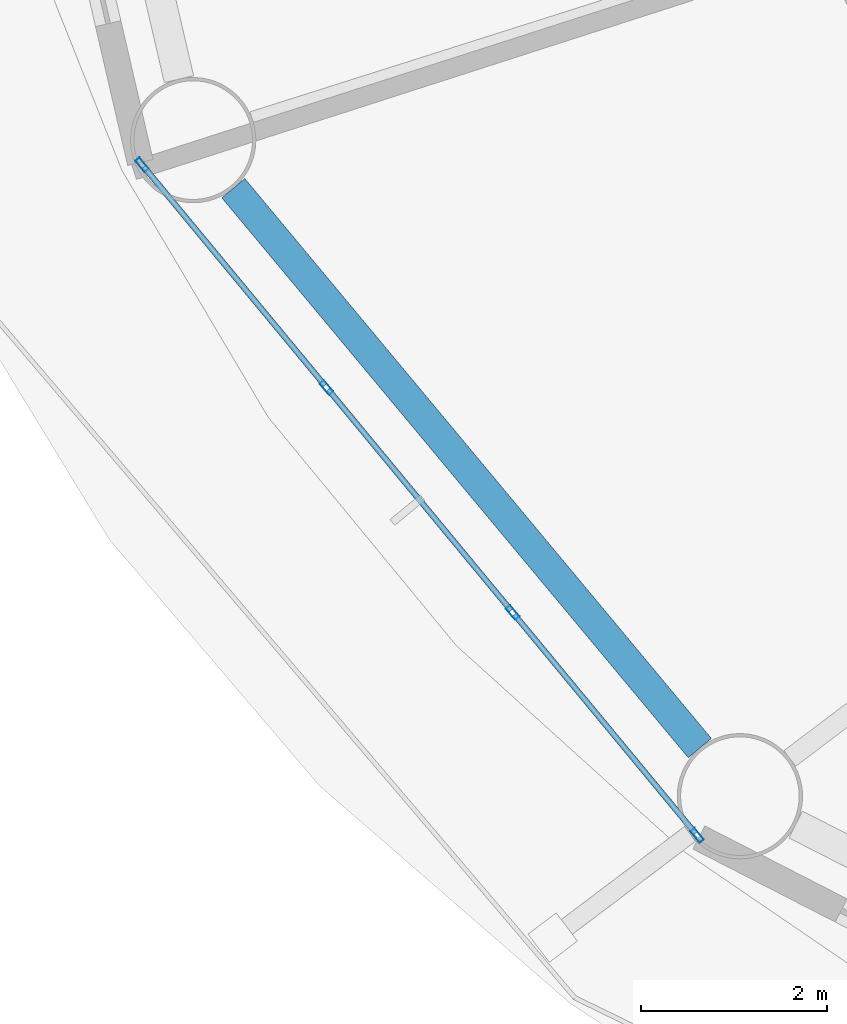
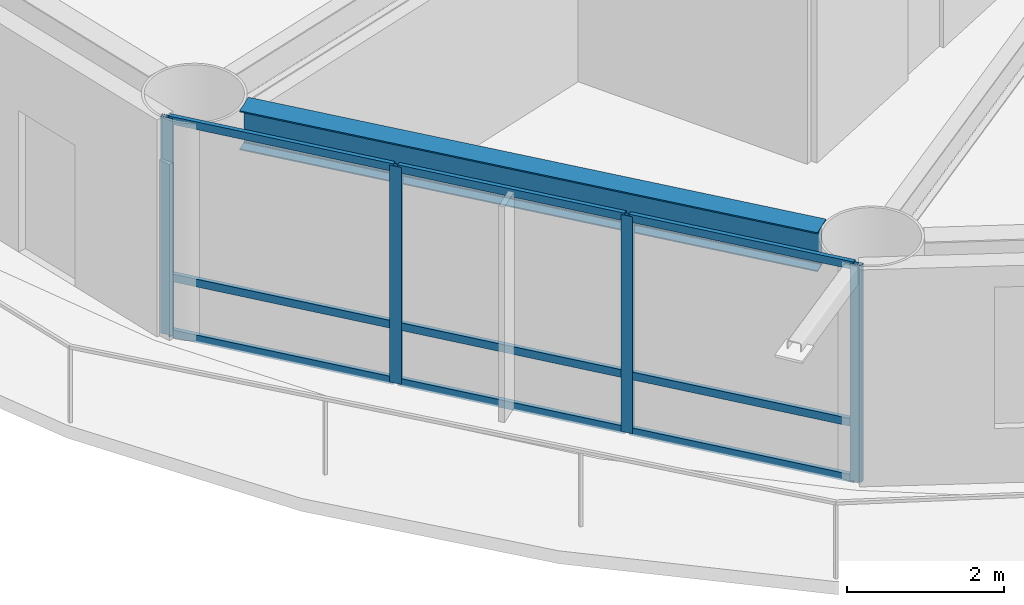
# One storey, part 2 of 24: 13 members, 1 beam, 1 element without a shape of its own.
"""IFC4 building model written with IfcOpenShell, lengths in metres."""

from ifc_helpers import new_model, si_unit, direction, frame, origin, origin_2d, place, context, subcontext, project, spatial, hollow_rectangle, i_section, extrude, material, layer, layer_set, material_profile, profile_set, type_object, element, aggregate, save


model = new_model("IFC4")

# Units and contexts
model_context = context("Model", 3, precision=1e-05, world=origin(), true_north=direction((0.0, 1.0)))
body_context = subcontext(model_context, "Body", "Model", "MODEL_VIEW")
ifc_project = project(units=[si_unit("LENGTHUNIT", "METRE"), si_unit("AREAUNIT", "SQUARE_METRE"), si_unit("VOLUMEUNIT", "CUBIC_METRE"), si_unit("PLANEANGLEUNIT", "RADIAN"), si_unit("MASSUNIT", "GRAM", prefix="KILO")], contexts=[model_context])

# Site, building, storey
site_placement = place(None, origin())
site = spatial("IfcSite", under=ifc_project, at=site_placement, CompositionType="ELEMENT")
building_placement = place(site_placement, origin())
building = spatial("IfcBuilding", under=site, at=building_placement, Name="Sarneth Arch Tower", CompositionType="ELEMENT")
storey_placement = place(building_placement, frame((0.0, 0.0, 87.60009765625)))
storey = spatial("IfcBuildingStorey", under=building, at=storey_placement, Name="L21", CompositionType="ELEMENT", Elevation=87.60009765625)

# Beam
ifc_material_1 = material(Name="Steel S355", Category="steel")
ifc_material_profile_1 = material_profile(ifc_material_1, i_section(OverallWidth=0.323974609375, OverallDepth=0.611083984375, WebThickness=0.0126953125, FlangeThickness=0.01904296875, FilletRadius=0.01904296875, at=origin_2d()), Name="W610x155")
ifc_profile_set_1 = profile_set([ifc_material_profile_1], Name="Steel S355")
beam_type = type_object("IfcBeamType", Name="BM-SPAN-610B", PredefinedType="SPANDREL", material=ifc_profile_set_1)
beam_placement = place(storey_placement, frame((22.140869140625, 33.138916015625, 3.074462890625), z_axis=(0.640169116175, -0.768234015581, 0.0), x_axis=(0.768234015581, 0.640169116175, 0.0)))
element("IfcBeam", 1, at=beam_placement, inside=storey, type_object=beam_type, Name="L21 Perimeter spandrel beam 10", PredefinedType="SPANDREL", context=body_context, shape_type="SweptSolid", body=[
    extrude(i_section(OverallWidth=0.323974609375, OverallDepth=0.611083984375, WebThickness=0.0126953125, FlangeThickness=0.01904296875, FilletRadius=0.01904296875, at=origin_2d()), origin(), (0.0, 0.0, 1.0), 7.856201171875),
])

# Curtain wall, members
ifc_material_2 = material(Name="Anodised aluminium Type AA25 and solar-control low-e laminated IGU", Category="aluminium")
ifc_layer = layer(ifc_material_2, 0.159912109375)
ifc_layer_set = layer_set([ifc_layer], Name="Anodised aluminium Type AA25 and solar-control low-e laminated IGU")
curtain_wall_type = type_object("IfcCurtainWallType", Name="CW-HOTEL-MID", PredefinedType="NOTDEFINED", material=ifc_layer_set)
curtain_wall_placement = place(storey_placement, origin())
curtain_wall = element("IfcCurtainWall", 2, at=curtain_wall_placement, inside=storey, type_object=curtain_wall_type, Name="L21 Unitised curtain wall facet 10", PredefinedType="NOTDEFINED")
ifc_material_3 = material(Name="Anodised Aluminium 6063-T6", Category="aluminium")
ifc_material_profile_2 = material_profile(ifc_material_3, hollow_rectangle(XDim=0.06005859375, YDim=0.159912109375, WallThickness=0.00390625, at=origin_2d()), Name="AL-MULL-160x60x4")
ifc_profile_set_2 = profile_set([ifc_material_profile_2], Name="Anodised Aluminium 6063-T6")
member_type_1 = type_object("IfcMemberType", Name="CW-MULLION", PredefinedType="MULLION", material=ifc_profile_set_2)
member_1_placement = place(storey_placement, frame((21.15771484375, 33.393310546875, 0.0), z_axis=(0.0, 0.0, 1.0), x_axis=(0.770437787363, 0.637515188684, 0.0)))
member_1 = element("IfcMember", 3, at=member_1_placement, type_object=member_type_1, Name="CW-SYS-4 mullion 1", PredefinedType="MULLION", context=body_context, shape_type="SweptSolid", body=[
    extrude(hollow_rectangle(XDim=0.06005859375, YDim=0.159912109375, WallThickness=0.00390625, at=origin_2d()), origin(), (0.0, 0.0, 1.0), 3.3798828125),
])
member_2_placement = place(storey_placement, frame((23.145751953125, 30.99072265625, 0.0), z_axis=(0.0, 0.0, 1.0), x_axis=(0.770437787363, 0.637515188684, 0.0)))
member_2 = element("IfcMember", 4, at=member_2_placement, type_object=member_type_1, Name="CW-SYS-4 mullion 2", PredefinedType="MULLION", context=body_context, shape_type="SweptSolid", body=[
    extrude(hollow_rectangle(XDim=0.06005859375, YDim=0.159912109375, WallThickness=0.00390625, at=origin_2d()), origin(), (0.0, 0.0, 1.0), 3.3798828125),
])
member_3_placement = place(storey_placement, frame((25.15283203125, 28.565185546875, 0.0), z_axis=(0.0, 0.0, 1.0), x_axis=(0.770437787363, 0.637515188684, 0.0)))
member_3 = element("IfcMember", 5, at=member_3_placement, type_object=member_type_1, Name="CW-SYS-4 mullion 3", PredefinedType="MULLION", context=body_context, shape_type="SweptSolid", body=[
    extrude(hollow_rectangle(XDim=0.06005859375, YDim=0.159912109375, WallThickness=0.00390625, at=origin_2d()), origin(), (0.0, 0.0, 1.0), 3.3798828125),
])
member_4_placement = place(storey_placement, frame((27.140869140625, 26.16259765625, 0.0), z_axis=(0.0, 0.0, 1.0), x_axis=(0.770437787363, 0.637515188684, 0.0)))
member_4 = element("IfcMember", 6, at=member_4_placement, type_object=member_type_1, Name="CW-SYS-4 mullion 4", PredefinedType="MULLION", context=body_context, shape_type="SweptSolid", body=[
    extrude(hollow_rectangle(XDim=0.06005859375, YDim=0.159912109375, WallThickness=0.00390625, at=origin_2d()), origin(), (0.0, 0.0, 1.0), 3.3798828125),
])
ifc_material_4 = material(Name="Anodised Aluminium 6063-T6", Category="aluminium")
ifc_material_profile_3 = material_profile(ifc_material_4, hollow_rectangle(XDim=0.06005859375, YDim=0.1201171875, WallThickness=0.00390625, at=origin_2d()), Name="AL-TRAN-120x60x4")
ifc_profile_set_3 = profile_set([ifc_material_profile_3], Name="Anodised Aluminium 6063-T6")
member_type_2 = type_object("IfcMemberType", Name="CW-TRANSOM", PredefinedType="USERDEFINED", material=ifc_profile_set_3)
member_5_placement = place(storey_placement, frame((21.1767578125, 33.3701171875, 0.02978515625), z_axis=(0.637566080343, -0.770395673142, 0.0), x_axis=(0.770395673142, 0.637566080343, 0.0)))
member_5 = element("IfcMember", 7, at=member_5_placement, type_object=member_type_2, Name="CW-SYS-4 transom 1.1", ObjectType="TRANSOM", PredefinedType="USERDEFINED", context=body_context, shape_type="SweptSolid", body=[
    extrude(hollow_rectangle(XDim=0.06005859375, YDim=0.1201171875, WallThickness=0.00390625, at=origin_2d()), origin(), (0.0, 0.0, 1.0), 3.058349609375),
])
member_6_placement = place(storey_placement, frame((21.1767578125, 33.3701171875, 0.89990234375), z_axis=(0.637566080343, -0.770395673142, 0.0), x_axis=(0.770395673142, 0.637566080343, 0.0)))
member_6 = element("IfcMember", 8, at=member_6_placement, type_object=member_type_2, Name="CW-SYS-4 transom 1.2", ObjectType="TRANSOM", PredefinedType="USERDEFINED", context=body_context, shape_type="SweptSolid", body=[
    extrude(hollow_rectangle(XDim=0.06005859375, YDim=0.1201171875, WallThickness=0.00390625, at=origin_2d()), origin(), (0.0, 0.0, 1.0), 3.058349609375),
])
member_7_placement = place(storey_placement, frame((21.1767578125, 33.3701171875, 3.349853515625), z_axis=(0.637566080343, -0.770395673142, 0.0), x_axis=(0.770395673142, 0.637566080343, 0.0)))
member_7 = element("IfcMember", 9, at=member_7_placement, type_object=member_type_2, Name="CW-SYS-4 transom 1.3", ObjectType="TRANSOM", PredefinedType="USERDEFINED", context=body_context, shape_type="SweptSolid", body=[
    extrude(hollow_rectangle(XDim=0.06005859375, YDim=0.1201171875, WallThickness=0.00390625, at=origin_2d()), origin(), (0.0, 0.0, 1.0), 3.058349609375),
])
member_8_placement = place(storey_placement, frame((23.164794921875, 30.9677734375, 0.02978515625), z_axis=(0.637536975021, -0.770419759275, 0.0), x_axis=(0.770419759275, 0.637536975021, 0.0)))
member_8 = element("IfcMember", 10, at=member_8_placement, type_object=member_type_2, Name="CW-SYS-4 transom 2.1", ObjectType="TRANSOM", PredefinedType="USERDEFINED", context=body_context, shape_type="SweptSolid", body=[
    extrude(hollow_rectangle(XDim=0.06005859375, YDim=0.1201171875, WallThickness=0.00390625, at=origin_2d()), origin(), (0.0, 0.0, 1.0), 3.08837890625),
])
member_9_placement = place(storey_placement, frame((23.164794921875, 30.9677734375, 0.89990234375), z_axis=(0.637536975021, -0.770419759275, 0.0), x_axis=(0.770419759275, 0.637536975021, 0.0)))
member_9 = element("IfcMember", 11, at=member_9_placement, type_object=member_type_2, Name="CW-SYS-4 transom 2.2", ObjectType="TRANSOM", PredefinedType="USERDEFINED", context=body_context, shape_type="SweptSolid", body=[
    extrude(hollow_rectangle(XDim=0.06005859375, YDim=0.1201171875, WallThickness=0.00390625, at=origin_2d()), origin(), (0.0, 0.0, 1.0), 3.08837890625),
])
member_10_placement = place(storey_placement, frame((23.164794921875, 30.9677734375, 3.349853515625), z_axis=(0.637536975021, -0.770419759275, 0.0), x_axis=(0.770419759275, 0.637536975021, 0.0)))
member_10 = element("IfcMember", 12, at=member_10_placement, type_object=member_type_2, Name="CW-SYS-4 transom 2.3", ObjectType="TRANSOM", PredefinedType="USERDEFINED", context=body_context, shape_type="SweptSolid", body=[
    extrude(hollow_rectangle(XDim=0.06005859375, YDim=0.1201171875, WallThickness=0.00390625, at=origin_2d()), origin(), (0.0, 0.0, 1.0), 3.08837890625),
])
member_11_placement = place(storey_placement, frame((25.171875, 28.5419921875, 0.02978515625), z_axis=(0.637566080343, -0.770395673142, 0.0), x_axis=(0.770395673142, 0.637566080343, 0.0)))
member_11 = element("IfcMember", 13, at=member_11_placement, type_object=member_type_2, Name="CW-SYS-4 transom 3.1", ObjectType="TRANSOM", PredefinedType="USERDEFINED", context=body_context, shape_type="SweptSolid", body=[
    extrude(hollow_rectangle(XDim=0.06005859375, YDim=0.1201171875, WallThickness=0.00390625, at=origin_2d()), origin(), (0.0, 0.0, 1.0), 3.058349609375),
])
member_12_placement = place(storey_placement, frame((25.171875, 28.5419921875, 0.89990234375), z_axis=(0.637566080343, -0.770395673142, 0.0), x_axis=(0.770395673142, 0.637566080343, 0.0)))
member_12 = element("IfcMember", 14, at=member_12_placement, type_object=member_type_2, Name="CW-SYS-4 transom 3.2", ObjectType="TRANSOM", PredefinedType="USERDEFINED", context=body_context, shape_type="SweptSolid", body=[
    extrude(hollow_rectangle(XDim=0.06005859375, YDim=0.1201171875, WallThickness=0.00390625, at=origin_2d()), origin(), (0.0, 0.0, 1.0), 3.058349609375),
])
member_13_placement = place(storey_placement, frame((25.171875, 28.5419921875, 3.349853515625), z_axis=(0.637566080343, -0.770395673142, 0.0), x_axis=(0.770395673142, 0.637566080343, 0.0)))
member_13 = element("IfcMember", 15, at=member_13_placement, type_object=member_type_2, Name="CW-SYS-4 transom 3.3", ObjectType="TRANSOM", PredefinedType="USERDEFINED", context=body_context, shape_type="SweptSolid", body=[
    extrude(hollow_rectangle(XDim=0.06005859375, YDim=0.1201171875, WallThickness=0.00390625, at=origin_2d()), origin(), (0.0, 0.0, 1.0), 3.058349609375),
])
aggregate(curtain_wall, [member_1, member_2, member_3, member_4, member_5, member_6, member_7, member_8, member_9, member_10, member_11, member_12, member_13])

save(model, "model.ifc")
